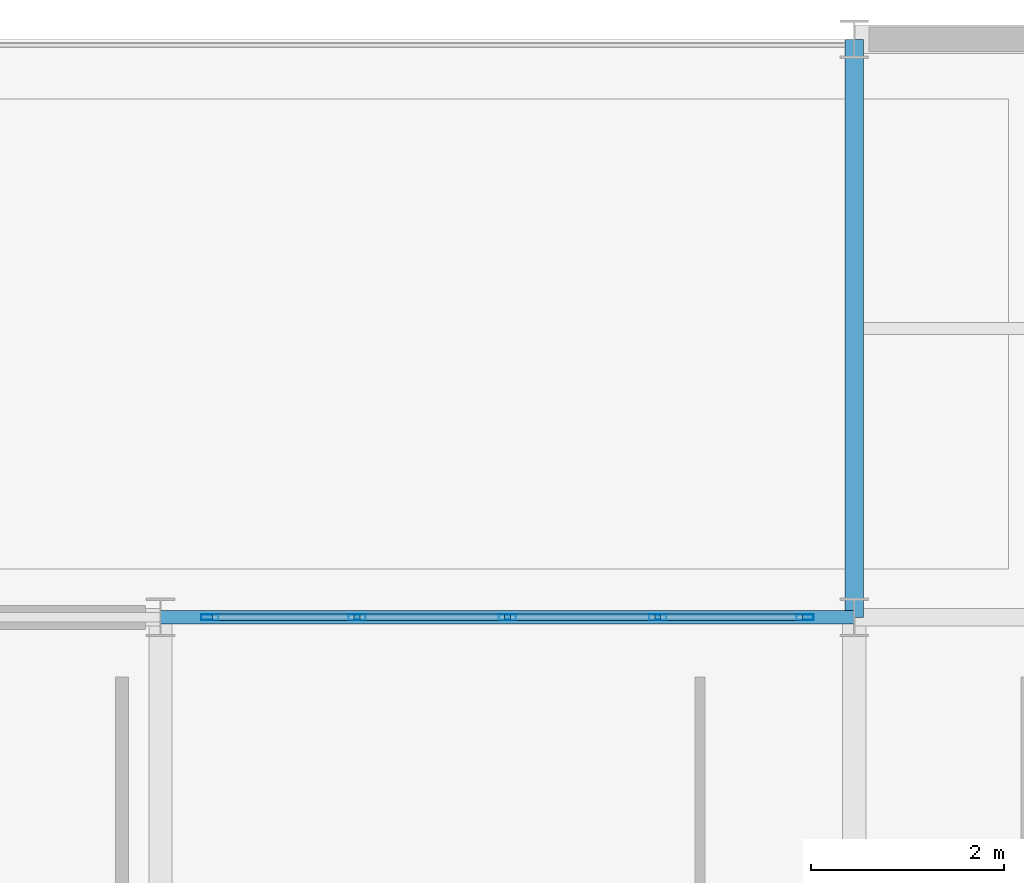
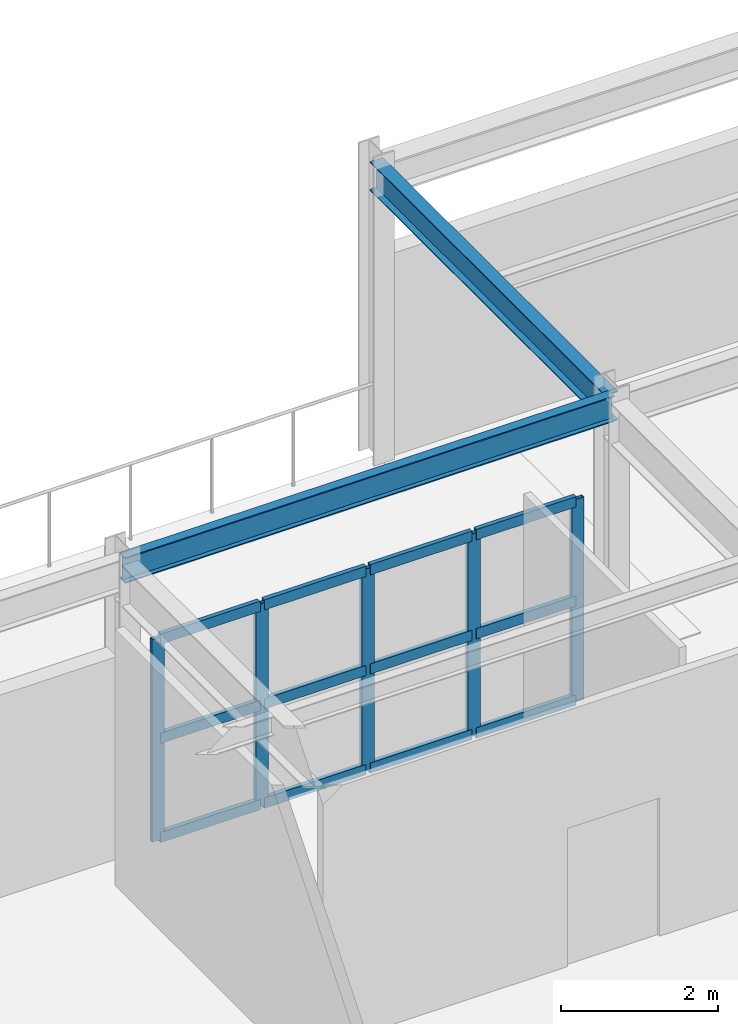
# One storey, part 23 of 41: 17 members, 2 beams, 1 element without a shape of its own.
"""IFC4 building model written with IfcOpenShell, lengths in metres."""

from ifc_helpers import new_model, si_unit, direction, frame, origin, origin_2d, place, context, subcontext, project, spatial, hollow_rectangle, i_section, extrude, material, layer, layer_set, material_profile, profile_set, type_object, element, aggregate, save


model = new_model("IFC4")

# Units and contexts
model_context = context("Model", 3, precision=1e-05, world=origin(), true_north=direction((0.0, 1.0)))
body_context = subcontext(model_context, "Body", "Model", "MODEL_VIEW")
ifc_project = project(units=[si_unit("LENGTHUNIT", "METRE"), si_unit("AREAUNIT", "SQUARE_METRE"), si_unit("VOLUMEUNIT", "CUBIC_METRE"), si_unit("PLANEANGLEUNIT", "RADIAN"), si_unit("MASSUNIT", "GRAM", prefix="KILO")], contexts=[model_context])

# Site, building, storey
site_placement = place(None, origin())
site = spatial("IfcSite", under=ifc_project, at=site_placement, CompositionType="ELEMENT")
building_placement = place(site_placement, origin())
building = spatial("IfcBuilding", under=site, at=building_placement, Name="Solvadek Multi-Sports Hall", CompositionType="ELEMENT")
storey_placement = place(building_placement, frame((0.0, 0.0, 14.39990234375)))
storey = spatial("IfcBuildingStorey", under=building, at=storey_placement, Name="L03", CompositionType="ELEMENT", Elevation=14.39990234375)

# Curtain wall, members
ifc_material_1 = material(Name="Anodised aluminium", Category="aluminium")
ifc_layer = layer(ifc_material_1, 0.159912109375, Name="Anodised aluminium")
ifc_layer_set = layer_set([ifc_layer], Name="Anodised aluminium")
curtain_wall_type = type_object("IfcCurtainWallType", Name="ENV-CW-624X315", PredefinedType="USERDEFINED", material=ifc_layer_set)
curtain_wall_placement = place(storey_placement, origin())
curtain_wall = element("IfcCurtainWall", 1, at=curtain_wall_placement, inside=storey, type_object=curtain_wall_type, Name="L03 Perimeter Bay Curtain Wall #208", ObjectType="CURTAIN WALL", PredefinedType="USERDEFINED")
ifc_material_profile_1 = material_profile(ifc_material_1, hollow_rectangle(XDim=0.06005859375, YDim=0.179931640625, WallThickness=0.00390625, at=origin_2d()), Name="ALU-M 180x60x4")
ifc_profile_set_1 = profile_set([ifc_material_profile_1], Name="Anodised aluminium")
member_type_1 = type_object("IfcMemberType", Name="ENV-CWM-02", PredefinedType="MULLION", material=ifc_profile_set_1)
member_1_placement = place(storey_placement, frame((43.7099609375, 104.39990234375, 0.0), z_axis=(0.0, 0.0, 1.0), x_axis=(0.0, 1.0, 0.0)))
member_1 = element("IfcMember", 2, at=member_1_placement, type_object=member_type_1, Name="CW-44 mullion 1", PredefinedType="MULLION", context=body_context, shape_type="SweptSolid", body=[
    extrude(hollow_rectangle(XDim=0.06005859375, YDim=0.179931640625, WallThickness=0.00390625, at=origin_2d()), origin(), (0.0, 0.0, 1.0), 3.150146484375),
])
member_2_placement = place(storey_placement, frame((45.239990234375, 104.39990234375, 0.0), z_axis=(0.0, 0.0, 1.0), x_axis=(0.0, 1.0, 0.0)))
member_2 = element("IfcMember", 3, at=member_2_placement, type_object=member_type_1, Name="CW-44 mullion 2", PredefinedType="MULLION", context=body_context, shape_type="SweptSolid", body=[
    extrude(hollow_rectangle(XDim=0.06005859375, YDim=0.179931640625, WallThickness=0.00390625, at=origin_2d()), origin(), (0.0, 0.0, 1.0), 3.150146484375),
])
member_3_placement = place(storey_placement, frame((46.800048828125, 104.39990234375, 0.0), z_axis=(0.0, 0.0, 1.0), x_axis=(0.0, 1.0, 0.0)))
member_3 = element("IfcMember", 4, at=member_3_placement, type_object=member_type_1, Name="CW-44 mullion 3", PredefinedType="MULLION", context=body_context, shape_type="SweptSolid", body=[
    extrude(hollow_rectangle(XDim=0.06005859375, YDim=0.179931640625, WallThickness=0.00390625, at=origin_2d()), origin(), (0.0, 0.0, 1.0), 3.150146484375),
])
member_4_placement = place(storey_placement, frame((48.360107421875, 104.39990234375, 0.0), z_axis=(0.0, 0.0, 1.0), x_axis=(0.0, 1.0, 0.0)))
member_4 = element("IfcMember", 5, at=member_4_placement, type_object=member_type_1, Name="CW-44 mullion 4", PredefinedType="MULLION", context=body_context, shape_type="SweptSolid", body=[
    extrude(hollow_rectangle(XDim=0.06005859375, YDim=0.179931640625, WallThickness=0.00390625, at=origin_2d()), origin(), (0.0, 0.0, 1.0), 3.150146484375),
])
member_5_placement = place(storey_placement, frame((49.889892578125, 104.39990234375, 0.0), z_axis=(0.0, 0.0, 1.0), x_axis=(0.0, 1.0, 0.0)))
member_5 = element("IfcMember", 6, at=member_5_placement, type_object=member_type_1, Name="CW-44 mullion 5", PredefinedType="MULLION", context=body_context, shape_type="SweptSolid", body=[
    extrude(hollow_rectangle(XDim=0.06005859375, YDim=0.179931640625, WallThickness=0.00390625, at=origin_2d()), origin(), (0.0, 0.0, 1.0), 3.150146484375),
])
ifc_material_profile_2 = material_profile(ifc_material_1, hollow_rectangle(XDim=0.06494140625, YDim=0.159912109375, WallThickness=0.00390625, at=origin_2d()), Name="ALU-T 160x65x4")
ifc_profile_set_2 = profile_set([ifc_material_profile_2], Name="Anodised aluminium")
member_type_2 = type_object("IfcMemberType", Name="ENV-CWT-03", PredefinedType="USERDEFINED", material=ifc_profile_set_2)
member_6_placement = place(storey_placement, frame((43.739990234375, 104.39990234375, 0.03271484375), z_axis=(1.0, 0.0, 0.0), x_axis=(0.0, 1.0, 0.0)))
member_6 = element("IfcMember", 7, at=member_6_placement, type_object=member_type_2, Name="CW-44 transom 1.1", ObjectType="TRANSOM", PredefinedType="USERDEFINED", context=body_context, shape_type="SweptSolid", body=[
    extrude(hollow_rectangle(XDim=0.06494140625, YDim=0.159912109375, WallThickness=0.00390625, at=origin_2d()), origin(), (0.0, 0.0, 1.0), 1.469970703125),
])
member_7_placement = place(storey_placement, frame((43.739990234375, 104.39990234375, 1.5751953125), z_axis=(1.0, 0.0, 0.0), x_axis=(0.0, 1.0, 0.0)))
member_7 = element("IfcMember", 8, at=member_7_placement, type_object=member_type_2, Name="CW-44 transom 1.2", ObjectType="TRANSOM", PredefinedType="USERDEFINED", context=body_context, shape_type="SweptSolid", body=[
    extrude(hollow_rectangle(XDim=0.06494140625, YDim=0.159912109375, WallThickness=0.00390625, at=origin_2d()), origin(), (0.0, 0.0, 1.0), 1.469970703125),
])
member_8_placement = place(storey_placement, frame((43.739990234375, 104.39990234375, 3.11767578125), z_axis=(1.0, 0.0, 0.0), x_axis=(0.0, 1.0, 0.0)))
member_8 = element("IfcMember", 9, at=member_8_placement, type_object=member_type_2, Name="CW-44 transom 1.3", ObjectType="TRANSOM", PredefinedType="USERDEFINED", context=body_context, shape_type="SweptSolid", body=[
    extrude(hollow_rectangle(XDim=0.06494140625, YDim=0.159912109375, WallThickness=0.00390625, at=origin_2d()), origin(), (0.0, 0.0, 1.0), 1.469970703125),
])
member_9_placement = place(storey_placement, frame((45.27001953125, 104.39990234375, 0.03271484375), z_axis=(1.0, 0.0, 0.0), x_axis=(0.0, 1.0, 0.0)))
member_9 = element("IfcMember", 10, at=member_9_placement, type_object=member_type_2, Name="CW-44 transom 2.1", ObjectType="TRANSOM", PredefinedType="USERDEFINED", context=body_context, shape_type="SweptSolid", body=[
    extrude(hollow_rectangle(XDim=0.06494140625, YDim=0.159912109375, WallThickness=0.00390625, at=origin_2d()), origin(), (0.0, 0.0, 1.0), 1.5),
])
member_10_placement = place(storey_placement, frame((45.27001953125, 104.39990234375, 1.5751953125), z_axis=(1.0, 0.0, 0.0), x_axis=(0.0, 1.0, 0.0)))
member_10 = element("IfcMember", 11, at=member_10_placement, type_object=member_type_2, Name="CW-44 transom 2.2", ObjectType="TRANSOM", PredefinedType="USERDEFINED", context=body_context, shape_type="SweptSolid", body=[
    extrude(hollow_rectangle(XDim=0.06494140625, YDim=0.159912109375, WallThickness=0.00390625, at=origin_2d()), origin(), (0.0, 0.0, 1.0), 1.5),
])
member_11_placement = place(storey_placement, frame((45.27001953125, 104.39990234375, 3.11767578125), z_axis=(1.0, 0.0, 0.0), x_axis=(0.0, 1.0, 0.0)))
member_11 = element("IfcMember", 12, at=member_11_placement, type_object=member_type_2, Name="CW-44 transom 2.3", ObjectType="TRANSOM", PredefinedType="USERDEFINED", context=body_context, shape_type="SweptSolid", body=[
    extrude(hollow_rectangle(XDim=0.06494140625, YDim=0.159912109375, WallThickness=0.00390625, at=origin_2d()), origin(), (0.0, 0.0, 1.0), 1.5),
])
member_12_placement = place(storey_placement, frame((46.830078125, 104.39990234375, 0.03271484375), z_axis=(1.0, 0.0, 0.0), x_axis=(0.0, 1.0, 0.0)))
member_12 = element("IfcMember", 13, at=member_12_placement, type_object=member_type_2, Name="CW-44 transom 3.1", ObjectType="TRANSOM", PredefinedType="USERDEFINED", context=body_context, shape_type="SweptSolid", body=[
    extrude(hollow_rectangle(XDim=0.06494140625, YDim=0.159912109375, WallThickness=0.00390625, at=origin_2d()), origin(), (0.0, 0.0, 1.0), 1.5),
])
member_13_placement = place(storey_placement, frame((46.830078125, 104.39990234375, 1.5751953125), z_axis=(1.0, 0.0, 0.0), x_axis=(0.0, 1.0, 0.0)))
member_13 = element("IfcMember", 14, at=member_13_placement, type_object=member_type_2, Name="CW-44 transom 3.2", ObjectType="TRANSOM", PredefinedType="USERDEFINED", context=body_context, shape_type="SweptSolid", body=[
    extrude(hollow_rectangle(XDim=0.06494140625, YDim=0.159912109375, WallThickness=0.00390625, at=origin_2d()), origin(), (0.0, 0.0, 1.0), 1.5),
])
member_14_placement = place(storey_placement, frame((46.830078125, 104.39990234375, 3.11767578125), z_axis=(1.0, 0.0, 0.0), x_axis=(0.0, 1.0, 0.0)))
member_14 = element("IfcMember", 15, at=member_14_placement, type_object=member_type_2, Name="CW-44 transom 3.3", ObjectType="TRANSOM", PredefinedType="USERDEFINED", context=body_context, shape_type="SweptSolid", body=[
    extrude(hollow_rectangle(XDim=0.06494140625, YDim=0.159912109375, WallThickness=0.00390625, at=origin_2d()), origin(), (0.0, 0.0, 1.0), 1.5),
])
member_15_placement = place(storey_placement, frame((48.389892578125, 104.39990234375, 0.03271484375), z_axis=(1.0, 0.0, 0.0), x_axis=(0.0, 1.0, 0.0)))
member_15 = element("IfcMember", 16, at=member_15_placement, type_object=member_type_2, Name="CW-44 transom 4.1", ObjectType="TRANSOM", PredefinedType="USERDEFINED", context=body_context, shape_type="SweptSolid", body=[
    extrude(hollow_rectangle(XDim=0.06494140625, YDim=0.159912109375, WallThickness=0.00390625, at=origin_2d()), origin(), (0.0, 0.0, 1.0), 1.47021484375),
])
member_16_placement = place(storey_placement, frame((48.389892578125, 104.39990234375, 1.5751953125), z_axis=(1.0, 0.0, 0.0), x_axis=(0.0, 1.0, 0.0)))
member_16 = element("IfcMember", 17, at=member_16_placement, type_object=member_type_2, Name="CW-44 transom 4.2", ObjectType="TRANSOM", PredefinedType="USERDEFINED", context=body_context, shape_type="SweptSolid", body=[
    extrude(hollow_rectangle(XDim=0.06494140625, YDim=0.159912109375, WallThickness=0.00390625, at=origin_2d()), origin(), (0.0, 0.0, 1.0), 1.47021484375),
])
member_17_placement = place(storey_placement, frame((48.389892578125, 104.39990234375, 3.11767578125), z_axis=(1.0, 0.0, 0.0), x_axis=(0.0, 1.0, 0.0)))
member_17 = element("IfcMember", 18, at=member_17_placement, type_object=member_type_2, Name="CW-44 transom 4.3", ObjectType="TRANSOM", PredefinedType="USERDEFINED", context=body_context, shape_type="SweptSolid", body=[
    extrude(hollow_rectangle(XDim=0.06494140625, YDim=0.159912109375, WallThickness=0.00390625, at=origin_2d()), origin(), (0.0, 0.0, 1.0), 1.47021484375),
])
aggregate(curtain_wall, [member_1, member_2, member_3, member_4, member_5, member_6, member_7, member_8, member_9, member_10, member_11, member_12, member_13, member_14, member_15, member_16, member_17])

# Beams
ifc_material_2 = material(Name="Steel E350 (350 MPa)", Category="steel")
ifc_material_profile_3 = material_profile(ifc_material_2, i_section(OverallWidth=0.139892578125, OverallDepth=0.39990234375, WebThickness=0.0087890625, FlangeThickness=0.01611328125, at=origin_2d()), Name="ISMB 400")
ifc_profile_set_3 = profile_set([ifc_material_profile_3], Name="Steel E350 (350 MPa)")
beam_type_1 = type_object("IfcBeamType", Name="STR-BM-ISMB400", PredefinedType="BEAM", material=ifc_profile_set_3)
beam_1_placement = place(storey_placement, frame((43.199951171875, 104.39990234375, 4.400146484375), z_axis=(1.0, 0.0, 0.0), x_axis=(0.0, 1.0, 0.0)))
element("IfcBeam", 19, at=beam_1_placement, inside=storey, type_object=beam_type_1, Name="L03 Girder B-10 #1647", PredefinedType="BEAM", context=body_context, shape_type="SweptSolid", body=[
    extrude(i_section(OverallWidth=0.139892578125, OverallDepth=0.39990234375, WebThickness=0.0087890625, FlangeThickness=0.01611328125, at=origin_2d()), origin(), (0.0, 0.0, 1.0), 7.199951171875),
])
ifc_material_profile_4 = material_profile(ifc_material_2, i_section(OverallWidth=0.18994140625, OverallDepth=0.449951171875, WebThickness=0.009521484375, FlangeThickness=0.0146484375, at=origin_2d()), Name="NPB 450")
ifc_profile_set_4 = profile_set([ifc_material_profile_4], Name="Steel E350 (350 MPa)")
beam_type_2 = type_object("IfcBeamType", Name="STR-BM-NPB450", PredefinedType="BEAM", material=ifc_profile_set_4)
beam_2_placement = place(storey_placement, frame((50.39990234375, 104.39990234375, 4.375), z_axis=(0.0, 1.0, 0.0), x_axis=(-1.0, 0.0, 0.0)))
element("IfcBeam", 20, at=beam_2_placement, inside=storey, type_object=beam_type_2, Name="L03 Girder B-08 #1672", PredefinedType="BEAM", context=body_context, shape_type="SweptSolid", body=[
    extrude(i_section(OverallWidth=0.18994140625, OverallDepth=0.449951171875, WebThickness=0.009521484375, FlangeThickness=0.0146484375, at=origin_2d()), origin(), (0.0, 0.0, 1.0), 6.0),
])

save(model, "model.ifc")
